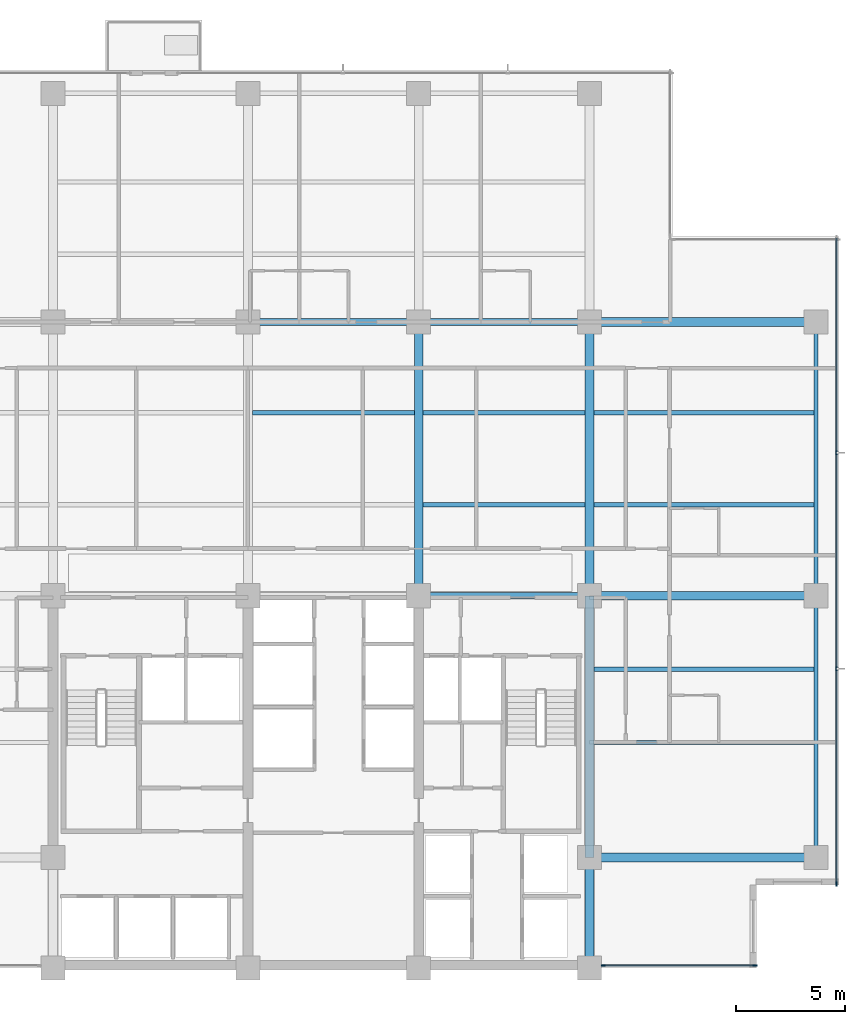
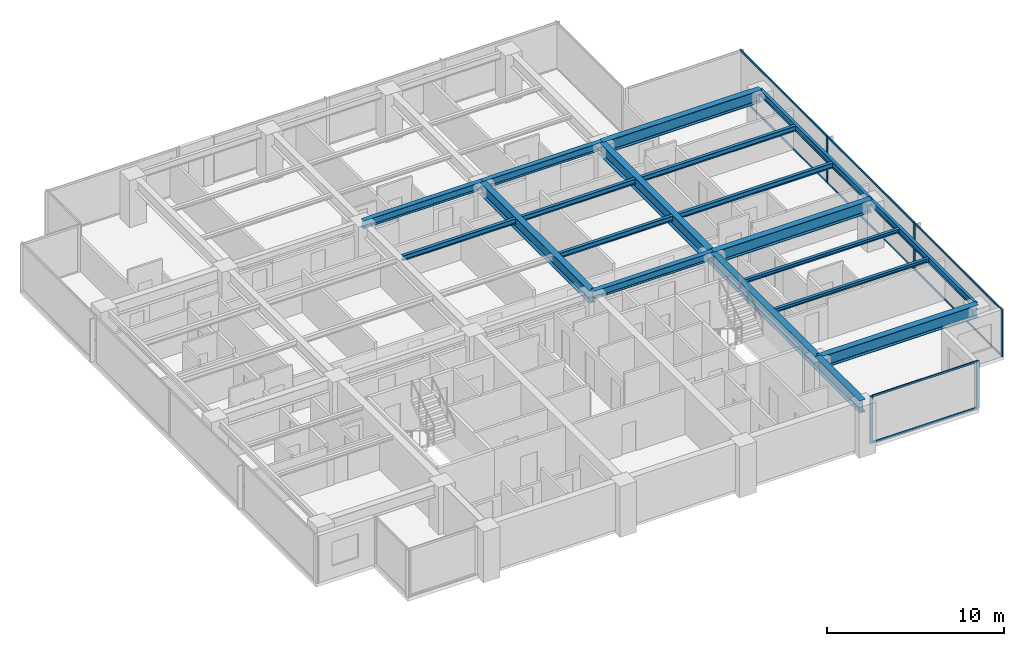
# One storey, part 3 of 15: 19 beams, 13 members, 2 elements without a shape of their own.
"""IFC4 building model written with IfcOpenShell, lengths in metres."""

from ifc_helpers import new_model, si_unit, direction, frame, origin, origin_2d, place, context, subcontext, project, spatial, rectangle, i_section, extrude, material, layer, layer_set, material_profile, profile_set, type_object, element, aggregate, save


model = new_model("IFC4")

# Units and contexts
model_context = context("Model", 3, precision=1e-05, world=origin(), true_north=direction((0.0, 1.0)))
body_context = subcontext(model_context, "Body", "Model", "MODEL_VIEW")
ifc_project = project(units=[si_unit("LENGTHUNIT", "METRE"), si_unit("AREAUNIT", "SQUARE_METRE"), si_unit("VOLUMEUNIT", "CUBIC_METRE"), si_unit("PLANEANGLEUNIT", "RADIAN"), si_unit("MASSUNIT", "GRAM", prefix="KILO")], contexts=[model_context])

# Site, building, storey
site_placement = place(None, origin())
site = spatial("IfcSite", under=ifc_project, at=site_placement, CompositionType="ELEMENT")
building_placement = place(site_placement, origin())
building = spatial("IfcBuilding", under=site, at=building_placement, Name="Qalmaran Belvedere Hotel", CompositionType="ELEMENT")
storey_placement = place(building_placement, frame((0.0, 0.0, 142.10009765625)))
storey = spatial("IfcBuildingStorey", under=building, at=storey_placement, Name="L35", CompositionType="ELEMENT", Elevation=142.10009765625)

# Beams
ifc_material_1 = material(Name="Steel S355JR", Category="steel")
ifc_material_profile_1 = material_profile(ifc_material_1, i_section(OverallWidth=0.201904296875, OverallDepth=0.2470703125, WebThickness=0.00732421875, FlangeThickness=0.010986328125, FilletRadius=0.011962890625, at=origin_2d()), Name="W250X49")
ifc_profile_set_1 = profile_set([ifc_material_profile_1], Name="Steel S355JR")
beam_type_1 = type_object("IfcBeamType", Name="BM-JST-W250X49", PredefinedType="JOIST", material=ifc_profile_set_1)
for number, where, z_axis, x_axis, name in (
    (1, (44.998046875, 13.800048828125, 3.12646484375), (1.0, 0.0, 0.0), (0.0, 1.0, 0.0), "L35 East Wing Joist 039"),
    (2, (44.998046875, 17.14990234375, 3.12646484375), (1.0, 0.0, 0.0), (0.0, 1.0, 0.0), "L35 East Wing Joist 041"),
):
    element("IfcBeam", number, at=place(storey_placement, frame(where, z_axis=z_axis, x_axis=x_axis)), inside=storey, type_object=beam_type_1, Name=name, PredefinedType="JOIST", context=body_context, shape_type="SweptSolid", body=[
        extrude(i_section(OverallWidth=0.201904296875, OverallDepth=0.2470703125, WebThickness=0.00732421875, FlangeThickness=0.010986328125, FilletRadius=0.011962890625, at=origin_2d()), origin(), (0.0, 0.0, 1.0), 10.057861328125),
    ])
ifc_material_profile_2 = material_profile(ifc_material_1, i_section(OverallWidth=0.39990234375, OverallDepth=0.85498046875, WebThickness=0.018310546875, FlangeThickness=0.029296875, FilletRadius=0.02392578125, at=origin_2d()), Name="W840X299")
ifc_profile_set_2 = profile_set([ifc_material_profile_2], Name="Steel S355JR")
beam_type_2 = type_object("IfcBeamType", Name="BM-PG3-W840X299", PredefinedType="USERDEFINED", material=ifc_profile_set_2)
for number, where, z_axis, x_axis, name in (
    (3, (37.0, 20.5, 2.822509765625), (0.0, 1.0, 0.0), (-1.0, 0.0, 0.0), "L35 Mid-Plate N-S Girder 18"),
    (4, (44.800048828125, 20.5, 2.822509765625), (0.0, 1.0, 0.0), (-1.0, 0.0, 0.0), "L35 Mid-Plate N-S Girder 20"),
):
    element("IfcBeam", number, at=place(storey_placement, frame(where, z_axis=z_axis, x_axis=x_axis)), inside=storey, type_object=beam_type_2, Name=name, ObjectType="GIRDER", PredefinedType="USERDEFINED", context=body_context, shape_type="SweptSolid", body=[
        extrude(i_section(OverallWidth=0.39990234375, OverallDepth=0.85498046875, WebThickness=0.018310546875, FlangeThickness=0.029296875, FilletRadius=0.02392578125, at=origin_2d()), origin(), (0.0, 0.0, 1.0), 12.5),
    ])
beam_1_placement = place(storey_placement, frame((44.800048828125, 3.5, 2.822509765625), z_axis=(0.0, 1.0, 0.0), x_axis=(-1.0, 0.0, 0.0)))
element("IfcBeam", 5, at=beam_1_placement, inside=storey, type_object=beam_type_2, Name="L35 East Core Edge Girder A", ObjectType="GIRDER", PredefinedType="USERDEFINED", context=body_context, shape_type="SweptSolid", body=[
    extrude(i_section(OverallWidth=0.39990234375, OverallDepth=0.85498046875, WebThickness=0.018310546875, FlangeThickness=0.029296875, FilletRadius=0.02392578125, at=origin_2d()), origin(), (0.0, 0.0, 1.0), 5.050048828125),
])
beam_2_placement = place(storey_placement, frame((44.800048828125, 8.550048828125, 2.822509765625), z_axis=(0.0, 1.0, 0.0), x_axis=(-1.0, 0.0, 0.0)))
element("IfcBeam", 6, at=beam_2_placement, inside=storey, type_object=beam_type_2, Name="L35 East Core Edge Girder B", ObjectType="GIRDER", PredefinedType="USERDEFINED", context=body_context, shape_type="SweptSolid", body=[
    extrude(i_section(OverallWidth=0.39990234375, OverallDepth=0.85498046875, WebThickness=0.018310546875, FlangeThickness=0.029296875, FilletRadius=0.02392578125, at=origin_2d()), origin(), (0.0, 0.0, 1.0), 11.949951171875),
])
for number, where, z_axis, x_axis, name in (
    (7, (44.800048828125, 8.550048828125, 2.822509765625), (1.0, 0.0, 0.0), (0.0, 1.0, 0.0), "L35 East Wing Girder 25"),
    (8, (44.800048828125, 20.5, 2.822509765625), (1.0, 0.0, 0.0), (0.0, 1.0, 0.0), "L35 East Wing Girder 26"),
    (9, (44.800048828125, 33.0, 2.822509765625), (1.0, 0.0, 0.0), (0.0, 1.0, 0.0), "L35 East Wing Girder 27"),
):
    element("IfcBeam", number, at=place(storey_placement, frame(where, z_axis=z_axis, x_axis=x_axis)), inside=storey, type_object=beam_type_2, Name=name, ObjectType="GIRDER", PredefinedType="USERDEFINED", context=body_context, shape_type="SweptSolid", body=[
        extrude(i_section(OverallWidth=0.39990234375, OverallDepth=0.85498046875, WebThickness=0.018310546875, FlangeThickness=0.029296875, FilletRadius=0.02392578125, at=origin_2d()), origin(), (0.0, 0.0, 1.0), 10.349853515625),
    ])
ifc_material_profile_3 = material_profile(ifc_material_1, i_section(OverallWidth=0.205078125, OverallDepth=0.35400390625, WebThickness=0.009521484375, FlangeThickness=0.016845703125, FilletRadius=0.014892578125, at=origin_2d()), Name="W360X79")
ifc_profile_set_3 = profile_set([ifc_material_profile_3], Name="Steel S355JR")
beam_type_3 = type_object("IfcBeamType", Name="BM-SB3-W360X79", PredefinedType="BEAM", material=ifc_profile_set_3)
beam_3_placement = place(storey_placement, frame((37.197998046875, 24.64990234375, 3.072998046875), z_axis=(1.0, 0.0, 0.0), x_axis=(0.0, 1.0, 0.0)))
element("IfcBeam", 10, at=beam_3_placement, inside=storey, type_object=beam_type_3, Name="L35 Secondary Floor Beam 031", PredefinedType="BEAM", context=body_context, shape_type="SweptSolid", body=[
    extrude(i_section(OverallWidth=0.205078125, OverallDepth=0.35400390625, WebThickness=0.009521484375, FlangeThickness=0.016845703125, FilletRadius=0.014892578125, at=origin_2d()), origin(), (0.0, 0.0, 1.0), 7.404052734375),
])
beam_4_placement = place(storey_placement, frame((44.998046875, 24.64990234375, 3.072998046875), z_axis=(1.0, 0.0, 0.0), x_axis=(0.0, 1.0, 0.0)))
element("IfcBeam", 11, at=beam_4_placement, inside=storey, type_object=beam_type_3, Name="L35 East Secondary Beam 032", PredefinedType="BEAM", context=body_context, shape_type="SweptSolid", body=[
    extrude(i_section(OverallWidth=0.205078125, OverallDepth=0.35400390625, WebThickness=0.009521484375, FlangeThickness=0.016845703125, FilletRadius=0.014892578125, at=origin_2d()), origin(), (0.0, 0.0, 1.0), 10.057861328125),
])
for number, where, z_axis, x_axis, name in (
    (12, (29.39794921875, 28.85009765625, 3.072998046875), (1.0, 0.0, 0.0), (0.0, 1.0, 0.0), "L35 Secondary Floor Beam 035"),
    (13, (37.197998046875, 28.85009765625, 3.072998046875), (1.0, 0.0, 0.0), (0.0, 1.0, 0.0), "L35 Secondary Floor Beam 036"),
):
    element("IfcBeam", number, at=place(storey_placement, frame(where, z_axis=z_axis, x_axis=x_axis)), inside=storey, type_object=beam_type_3, Name=name, PredefinedType="BEAM", context=body_context, shape_type="SweptSolid", body=[
        extrude(i_section(OverallWidth=0.205078125, OverallDepth=0.35400390625, WebThickness=0.009521484375, FlangeThickness=0.016845703125, FilletRadius=0.014892578125, at=origin_2d()), origin(), (0.0, 0.0, 1.0), 7.404052734375),
    ])
beam_5_placement = place(storey_placement, frame((44.998046875, 28.85009765625, 3.072998046875), z_axis=(1.0, 0.0, 0.0), x_axis=(0.0, 1.0, 0.0)))
element("IfcBeam", 14, at=beam_5_placement, inside=storey, type_object=beam_type_3, Name="L35 East Secondary Beam 037", PredefinedType="BEAM", context=body_context, shape_type="SweptSolid", body=[
    extrude(i_section(OverallWidth=0.205078125, OverallDepth=0.35400390625, WebThickness=0.009521484375, FlangeThickness=0.016845703125, FilletRadius=0.014892578125, at=origin_2d()), origin(), (0.0, 0.0, 1.0), 10.057861328125),
])
ifc_material_profile_4 = material_profile(ifc_material_1, i_section(OverallWidth=0.19189453125, OverallDepth=0.462890625, WebThickness=0.010498046875, FlangeThickness=0.017578125, FilletRadius=0.01611328125, at=origin_2d()), Name="W460X89")
ifc_profile_set_4 = profile_set([ifc_material_profile_4], Name="Steel S355JR")
beam_type_4 = type_object("IfcBeamType", Name="BM-SP2-W460X89", PredefinedType="SPANDREL", material=ifc_profile_set_4)
beam_6_placement = place(storey_placement, frame((55.14990234375, 8.550048828125, 3.018310546875), z_axis=(0.0, 1.0, 0.0), x_axis=(-1.0, 0.0, 0.0)))
element("IfcBeam", 15, at=beam_6_placement, inside=storey, type_object=beam_type_4, Name="L35 Perimeter Spandrel 03", PredefinedType="SPANDREL", context=body_context, shape_type="SweptSolid", body=[
    extrude(i_section(OverallWidth=0.19189453125, OverallDepth=0.462890625, WebThickness=0.010498046875, FlangeThickness=0.017578125, FilletRadius=0.01611328125, at=origin_2d()), origin(), (0.0, 0.0, 1.0), 11.949951171875),
])
beam_7_placement = place(storey_placement, frame((55.14990234375, 20.5, 3.018310546875), z_axis=(0.0, 1.0, 0.0), x_axis=(-1.0, 0.0, 0.0)))
element("IfcBeam", 16, at=beam_7_placement, inside=storey, type_object=beam_type_4, Name="L35 Perimeter Spandrel 04", PredefinedType="SPANDREL", context=body_context, shape_type="SweptSolid", body=[
    extrude(i_section(OverallWidth=0.19189453125, OverallDepth=0.462890625, WebThickness=0.010498046875, FlangeThickness=0.017578125, FilletRadius=0.01611328125, at=origin_2d()), origin(), (0.0, 0.0, 1.0), 12.5),
])
ifc_material_profile_5 = material_profile(ifc_material_1, i_section(OverallWidth=0.31201171875, OverallDepth=0.54296875, WebThickness=0.0126953125, FlangeThickness=0.020263671875, FilletRadius=0.01806640625, at=origin_2d()), Name="W530X150")
ifc_profile_set_5 = profile_set([ifc_material_profile_5], Name="Steel S355JR")
beam_type_5 = type_object("IfcBeamType", Name="BM-Z3-W530X150", PredefinedType="USERDEFINED", material=ifc_profile_set_5)
for number, where, z_axis, x_axis, name in (
    (17, (37.0, 20.5, 2.978515625), (1.0, 0.0, 0.0), (0.0, 1.0, 0.0), "L35 Interior E-W Girder 10"),
    (18, (29.199951171875, 33.0, 2.978515625), (1.0, 0.0, 0.0), (0.0, 1.0, 0.0), "L35 Interior E-W Girder 12"),
    (19, (37.0, 33.0, 2.978515625), (1.0, 0.0, 0.0), (0.0, 1.0, 0.0), "L35 Interior E-W Girder 13"),
):
    element("IfcBeam", number, at=place(storey_placement, frame(where, z_axis=z_axis, x_axis=x_axis)), inside=storey, type_object=beam_type_5, Name=name, ObjectType="GIRDER", PredefinedType="USERDEFINED", context=body_context, shape_type="SweptSolid", body=[
        extrude(i_section(OverallWidth=0.31201171875, OverallDepth=0.54296875, WebThickness=0.0126953125, FlangeThickness=0.020263671875, FilletRadius=0.01806640625, at=origin_2d()), origin(), (0.0, 0.0, 1.0), 7.800048828125),
    ])

# Curtain wall, members
ifc_material_2 = material(Name="Anodised Bronze Aluminium", Category="aluminium")
ifc_layer = layer(ifc_material_2, 0.195068359375, Name="Anodised Bronze Aluminium")
ifc_layer_set = layer_set([ifc_layer], Name="Anodised Bronze Aluminium")
curtain_wall_type = type_object("IfcCurtainWallType", Name="CW4-TOWER-HIGHMID", PredefinedType="NOTDEFINED", material=ifc_layer_set)
curtain_wall_1_placement = place(storey_placement, origin())
curtain_wall_1 = element("IfcCurtainWall", 20, at=curtain_wall_1_placement, inside=storey, type_object=curtain_wall_type, Name="L35 Curtain Wall CW4", PredefinedType="NOTDEFINED")
ifc_material_profile_6 = material_profile(ifc_material_2, rectangle(XDim=0.070068359375, YDim=0.18994140625, at=origin_2d()), Name="CWM70X190")
ifc_profile_set_6 = profile_set([ifc_material_profile_6], Name="Anodised Bronze Aluminium")
member_type_1 = type_object("IfcMemberType", Name="CWM-70X190", PredefinedType="MULLION", material=ifc_profile_set_6)
member_1_placement = place(storey_placement, frame((45.425048828125, 3.6201171875, 0.0), z_axis=(0.0, 0.0, 1.0), x_axis=(0.0, 1.0, 0.0)))
member_1 = element("IfcMember", 21, at=member_1_placement, type_object=member_type_1, Name="CW4 mullion 1", PredefinedType="MULLION", context=body_context, shape_type="SweptSolid", body=[
    extrude(rectangle(XDim=0.070068359375, YDim=0.18994140625, at=origin_2d()), origin(), (0.0, 0.0, 1.0), 3.25),
])
member_2_placement = place(storey_placement, frame((52.364990234375, 3.6201171875, 0.0), z_axis=(0.0, 0.0, 1.0), x_axis=(0.0, 1.0, 0.0)))
member_2 = element("IfcMember", 22, at=member_2_placement, type_object=member_type_1, Name="CW4 mullion 2", PredefinedType="MULLION", context=body_context, shape_type="SweptSolid", body=[
    extrude(rectangle(XDim=0.070068359375, YDim=0.18994140625, at=origin_2d()), origin(), (0.0, 0.0, 1.0), 3.25),
])

curtain_wall_2_placement = place(storey_placement, origin())
curtain_wall_2 = element("IfcCurtainWall", 23, at=curtain_wall_2_placement, inside=storey, type_object=curtain_wall_type, Name="L35 Curtain Wall CW4", PredefinedType="NOTDEFINED")
member_3_placement = place(storey_placement, frame((56.080078125, 7.3349609375, 0.0), z_axis=(0.0, 0.0, 1.0), x_axis=(-1.0, 0.0, 0.0)))
member_3 = element("IfcMember", 24, at=member_3_placement, type_object=member_type_1, Name="CW4 mullion 1", PredefinedType="MULLION", context=body_context, shape_type="SweptSolid", body=[
    extrude(rectangle(XDim=0.070068359375, YDim=0.18994140625, at=origin_2d()), origin(), (0.0, 0.0, 1.0), 3.25),
])
member_4_placement = place(storey_placement, frame((56.080078125, 17.166748046875, 0.0), z_axis=(0.0, 0.0, 1.0), x_axis=(-1.0, 0.0, 0.0)))
member_4 = element("IfcMember", 25, at=member_4_placement, type_object=member_type_1, Name="CW4 mullion 2", PredefinedType="MULLION", context=body_context, shape_type="SweptSolid", body=[
    extrude(rectangle(XDim=0.070068359375, YDim=0.18994140625, at=origin_2d()), origin(), (0.0, 0.0, 1.0), 3.25),
])
member_5_placement = place(storey_placement, frame((56.080078125, 27.033447265625, 0.0), z_axis=(0.0, 0.0, 1.0), x_axis=(-1.0, 0.0, 0.0)))
member_5 = element("IfcMember", 26, at=member_5_placement, type_object=member_type_1, Name="CW4 mullion 3", PredefinedType="MULLION", context=body_context, shape_type="SweptSolid", body=[
    extrude(rectangle(XDim=0.070068359375, YDim=0.18994140625, at=origin_2d()), origin(), (0.0, 0.0, 1.0), 3.25),
])

# Member
ifc_material_profile_7 = material_profile(ifc_material_2, rectangle(XDim=0.06494140625, YDim=0.1298828125, at=origin_2d()), Name="CWT65X130")
ifc_profile_set_7 = profile_set([ifc_material_profile_7], Name="Anodised Bronze Aluminium")
member_type_2 = type_object("IfcMemberType", Name="CWT-65X130", PredefinedType="USERDEFINED", material=ifc_profile_set_7)
member_6_placement = place(storey_placement, frame((45.4599609375, 3.6201171875, 0.032470703125), z_axis=(1.0, 0.0, 0.0), x_axis=(0.0, 1.0, 0.0)))
member_6 = element("IfcMember", 27, at=member_6_placement, type_object=member_type_2, Name="CW4 transom 1.1", ObjectType="TRANSOM", PredefinedType="USERDEFINED", context=body_context, shape_type="SweptSolid", body=[
    extrude(rectangle(XDim=0.06494140625, YDim=0.1298828125, at=origin_2d()), origin(), (0.0, 0.0, 1.0), 6.8701171875),
])

member_7_placement = place(storey_placement, frame((45.4599609375, 3.6201171875, 3.21728515625), z_axis=(1.0, 0.0, 0.0), x_axis=(0.0, 1.0, 0.0)))
member_7 = element("IfcMember", 28, at=member_7_placement, type_object=member_type_2, Name="CW4 transom 1.2", ObjectType="TRANSOM", PredefinedType="USERDEFINED", context=body_context, shape_type="SweptSolid", body=[
    extrude(rectangle(XDim=0.06494140625, YDim=0.1298828125, at=origin_2d()), origin(), (0.0, 0.0, 1.0), 6.8701171875),
])

aggregate(curtain_wall_1, [member_1, member_2, member_6, member_7])

member_8_placement = place(storey_placement, frame((56.080078125, 7.3701171875, 0.032470703125), z_axis=(0.0, 1.0, 0.0), x_axis=(-1.0, 0.0, 0.0)))
member_8 = element("IfcMember", 29, at=member_8_placement, type_object=member_type_2, Name="CW4 transom 1.1", ObjectType="TRANSOM", PredefinedType="USERDEFINED", context=body_context, shape_type="SweptSolid", body=[
    extrude(rectangle(XDim=0.06494140625, YDim=0.1298828125, at=origin_2d()), origin(), (0.0, 0.0, 1.0), 9.761474609375),
])

member_9_placement = place(storey_placement, frame((56.080078125, 7.3701171875, 3.21728515625), z_axis=(0.0, 1.0, 0.0), x_axis=(-1.0, 0.0, 0.0)))
member_9 = element("IfcMember", 30, at=member_9_placement, type_object=member_type_2, Name="CW4 transom 1.2", ObjectType="TRANSOM", PredefinedType="USERDEFINED", context=body_context, shape_type="SweptSolid", body=[
    extrude(rectangle(XDim=0.06494140625, YDim=0.1298828125, at=origin_2d()), origin(), (0.0, 0.0, 1.0), 9.761474609375),
])

member_10_placement = place(storey_placement, frame((56.080078125, 17.20166015625, 0.032470703125), z_axis=(0.0, 1.0, 0.0), x_axis=(-1.0, 0.0, 0.0)))
member_10 = element("IfcMember", 31, at=member_10_placement, type_object=member_type_2, Name="CW4 transom 2.1", ObjectType="TRANSOM", PredefinedType="USERDEFINED", context=body_context, shape_type="SweptSolid", body=[
    extrude(rectangle(XDim=0.06494140625, YDim=0.1298828125, at=origin_2d()), origin(), (0.0, 0.0, 1.0), 9.796630859375),
])

member_11_placement = place(storey_placement, frame((56.080078125, 17.20166015625, 3.21728515625), z_axis=(0.0, 1.0, 0.0), x_axis=(-1.0, 0.0, 0.0)))
member_11 = element("IfcMember", 32, at=member_11_placement, type_object=member_type_2, Name="CW4 transom 2.2", ObjectType="TRANSOM", PredefinedType="USERDEFINED", context=body_context, shape_type="SweptSolid", body=[
    extrude(rectangle(XDim=0.06494140625, YDim=0.1298828125, at=origin_2d()), origin(), (0.0, 0.0, 1.0), 9.796630859375),
])

member_12_placement = place(storey_placement, frame((56.080078125, 27.068359375, 0.032470703125), z_axis=(0.0, 1.0, 0.0), x_axis=(-1.0, 0.0, 0.0)))
member_12 = element("IfcMember", 33, at=member_12_placement, type_object=member_type_2, Name="CW4 transom 3.1", ObjectType="TRANSOM", PredefinedType="USERDEFINED", context=body_context, shape_type="SweptSolid", body=[
    extrude(rectangle(XDim=0.06494140625, YDim=0.1298828125, at=origin_2d()), origin(), (0.0, 0.0, 1.0), 9.76171875),
])

member_13_placement = place(storey_placement, frame((56.080078125, 27.068359375, 3.21728515625), z_axis=(0.0, 1.0, 0.0), x_axis=(-1.0, 0.0, 0.0)))
member_13 = element("IfcMember", 34, at=member_13_placement, type_object=member_type_2, Name="CW4 transom 3.2", ObjectType="TRANSOM", PredefinedType="USERDEFINED", context=body_context, shape_type="SweptSolid", body=[
    extrude(rectangle(XDim=0.06494140625, YDim=0.1298828125, at=origin_2d()), origin(), (0.0, 0.0, 1.0), 9.76171875),
])

aggregate(curtain_wall_2, [member_3, member_4, member_5, member_8, member_9, member_10, member_11, member_12, member_13])

save(model, "model.ifc")
